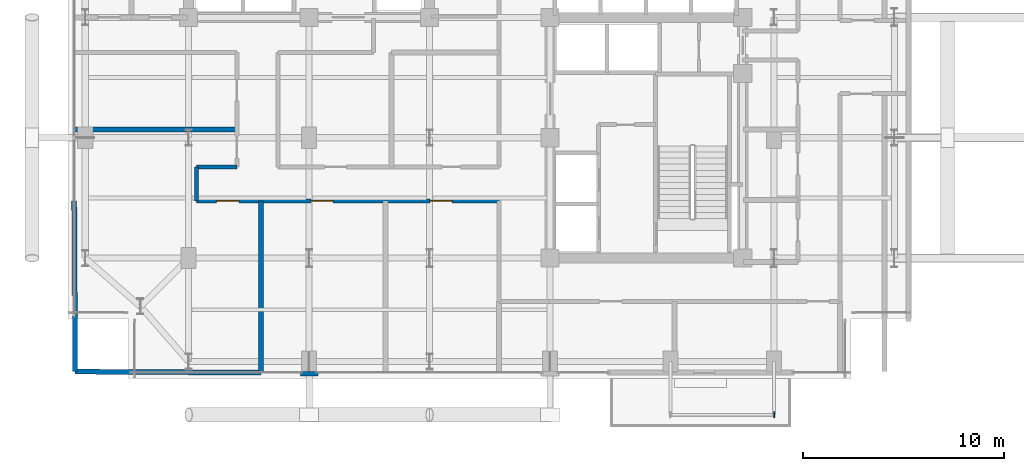
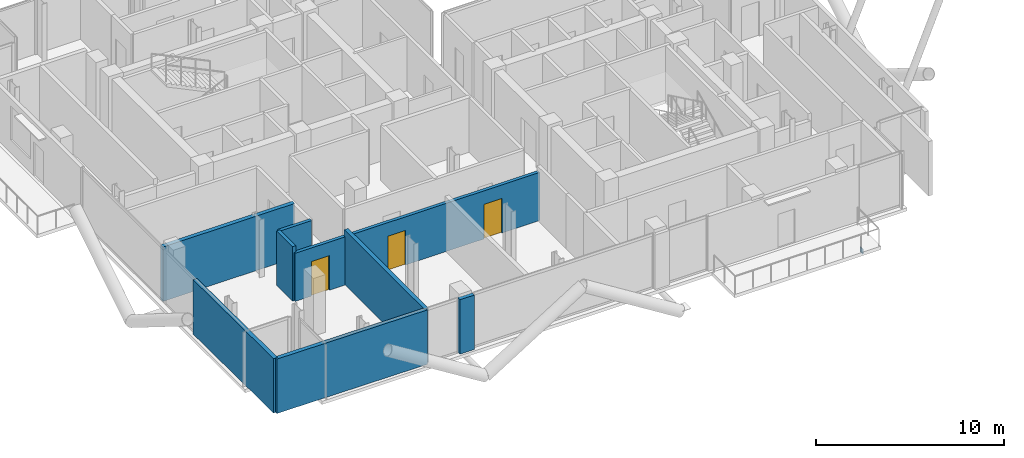
# One storey, part 19 of 26: 8 walls, 3 doors, 1 plate, 3 openings.
"""IFC4 building model written with IfcOpenShell, lengths in metres."""

from ifc_helpers import new_model, si_unit, direction, frame, frame_2d, origin, origin_2d, place, context, subcontext, project, spatial, rectangle, extrude, material, layer, layer_set, type_object, element, fill, save


model = new_model("IFC4")

# Units and contexts
model_context = context("Model", 3, precision=1e-05, world=origin(), true_north=direction((0.0, 1.0)))
body_context = subcontext(model_context, "Body", "Model", "MODEL_VIEW")
ifc_project = project(units=[si_unit("LENGTHUNIT", "METRE"), si_unit("AREAUNIT", "SQUARE_METRE"), si_unit("VOLUMEUNIT", "CUBIC_METRE"), si_unit("PLANEANGLEUNIT", "RADIAN"), si_unit("MASSUNIT", "GRAM", prefix="KILO"), si_unit("THERMODYNAMICTEMPERATUREUNIT", "KELVIN"), si_unit("POWERUNIT", "WATT")], contexts=[model_context])

# Site, building, storey
site_placement = place(None, origin())
site = spatial("IfcSite", under=ifc_project, at=site_placement, CompositionType="ELEMENT")
building_placement = place(site_placement, origin())
building = spatial("IfcBuilding", under=site, at=building_placement, Name="Svarakhadi Broadcast Tower", CompositionType="ELEMENT")
storey_placement = place(building_placement, frame((0.0, 0.0, 184.199951171875)))
storey = spatial("IfcBuildingStorey", under=building, at=storey_placement, Name="L45", CompositionType="ELEMENT", Elevation=184.199951171875)

# Plate
ifc_material_1 = material(Name="Steel S460ML (IS 2062 E450BR)", Category="steel")
ifc_layer_1 = layer(ifc_material_1, 0.028076171875)
ifc_layer_set_1 = layer_set([ifc_layer_1], Name="Steel S460ML (IS 2062 E450BR)")
plate_type = type_object("IfcPlateType", Name="Cap_Plate_CP02", PredefinedType="USERDEFINED", material=ifc_layer_set_1)
plate_placement = place(storey_placement, frame((35.1650390625, -1.800048828125, -0.5048828125), z_axis=(0.0, 0.0, 1.0), x_axis=(1.0, 0.0, 0.0)))
element("IfcPlate", 1, at=plate_placement, inside=storey, type_object=plate_type, Name="L45 Balcony Spandrel End Cap Plate 1F-B", ObjectType="FLANGE_PLATE", PredefinedType="USERDEFINED", context=body_context, shape_type="SweptSolid", body=[
    extrude(rectangle(XDim=0.0400390625, YDim=0.300048828125, at=origin_2d()), origin(), (0.0, 0.0, 1.0), 0.31005859375),
])

# Walls
ifc_material_2 = material(Name="Double-Stud Acoustic Studio Partition STC-62", Category="gypsum")
ifc_layer_2 = layer(ifc_material_2, 0.25)
ifc_layer_set_2 = layer_set([ifc_layer_2], Name="Double-Stud Acoustic Studio Partition STC-62")
wall_type_1 = type_object("IfcWallType", Name="Wall_Acoust_250", PredefinedType="PARTITIONING", material=ifc_layer_set_2)
wall_1_placement = place(storey_placement, frame((0.35009765625, 0.35009765625, 0.0), z_axis=(0.0, 0.0, 1.0), x_axis=(0.99998536257, -0.005410604923, 0.0)))
element("IfcWall", 2, at=wall_1_placement, inside=storey, type_object=wall_type_1, Name="L45 Grand Diplomatic Banquet Dining Hall Wall", PredefinedType="PARTITIONING", context=body_context, shape_type="SweptSolid", body=[
    extrude(rectangle(XDim=9.250244140625, YDim=0.25, at=frame_2d((4.625, 0.0))), origin(), (0.0, 0.0, 1.0), 3.5400390625),
])
wall_2_placement = place(storey_placement, frame((0.35009765625, 0.35009765625, 0.0), z_axis=(0.0, 0.0, 1.0), x_axis=(-0.00588799536, 0.999982665605, 0.0)))
element("IfcWall", 3, at=wall_2_placement, inside=storey, type_object=wall_type_1, Name="L45 Grand Diplomatic Banquet Dining Hall Wall", PredefinedType="PARTITIONING", context=body_context, shape_type="SweptSolid", body=[
    extrude(rectangle(XDim=8.500244140625, YDim=0.25, at=frame_2d((4.25, 0.0))), origin(), (0.0, 0.0, 1.0), 3.5400390625),
])
wall_3_placement = place(storey_placement, frame((9.60009765625, 0.300048828125, 0.0), z_axis=(0.0, 0.0, 1.0), x_axis=(0.0, 1.0, 0.0)))
element("IfcWall", 4, at=wall_3_placement, inside=storey, type_object=wall_type_1, Name="L45 Grand Diplomatic Banquet Dining Hall Wall", PredefinedType="PARTITIONING", context=body_context, shape_type="SweptSolid", body=[
    extrude(rectangle(XDim=8.550048828125, YDim=0.25, at=frame_2d((4.27490234375, 0.0))), origin(), (0.0, 0.0, 1.0), 3.5400390625),
])
wall_4_placement = place(storey_placement, frame((0.300048828125, 12.39990234375, 0.0), z_axis=(0.0, 0.0, 1.0), x_axis=(1.0, 0.0, 0.0)))
element("IfcWall", 5, at=wall_4_placement, inside=storey, type_object=wall_type_1, Name="L45 Club Floor Pantry Kitchen Wall", PredefinedType="PARTITIONING", context=body_context, shape_type="SweptSolid", body=[
    extrude(rectangle(XDim=8.099853515625, YDim=0.25, at=frame_2d((4.0498046875, 0.0))), origin(), (0.0, 0.0, 1.0), 3.5400390625),
])
ifc_material_3 = material(Name="Concrete C40/50 (IS 456 M50)", Category="concrete")
ifc_layer_3 = layer(ifc_material_3, 0.239990234375)
ifc_layer_set_3 = layer_set([ifc_layer_3], Name="Concrete C40/50 (IS 456 M50)")
wall_type_2 = type_object("IfcWallType", Name="Wall_Ext_240", PredefinedType="SOLIDWALL", material=ifc_layer_set_3)
wall_5_placement = place(storey_placement, frame((12.43994140625, 0.239990234375, 0.0), z_axis=(0.0, 0.0, 1.0), x_axis=(-1.0, 0.0, 0.0)))
element("IfcWall", 6, at=wall_5_placement, inside=storey, type_object=wall_type_2, Name="L45 Perimeter Bronze Spandrel Closure Wall 04", PredefinedType="SOLIDWALL", context=body_context, shape_type="SweptSolid", body=[
    extrude(rectangle(XDim=0.8798828125, YDim=0.239990234375, at=frame_2d((0.43994140625, 0.0))), origin(), (0.0, 0.0, 1.0), 3.5400390625),
])

# Wall, openings, doors
ifc_layer_4 = layer(ifc_material_3, 0.199951171875)
ifc_layer_set_4 = layer_set([ifc_layer_4], Name="Concrete C40/50 (IS 456 M50)")
wall_type_3 = type_object("IfcWallType", Name="Wall_Fire_200", PredefinedType="SOLIDWALL", material=ifc_layer_set_4)
wall_6_placement = place(storey_placement, frame((21.449951171875, 8.85009765625, 0.0), z_axis=(0.0, 0.0, 1.0), x_axis=(-1.0, 0.0, 0.0)))
wall_6 = element("IfcWall", 7, at=wall_6_placement, inside=storey, type_object=wall_type_3, Name="L45 Zone 2/3 Corridor Wall", PredefinedType="SOLIDWALL", context=body_context, shape_type="SweptSolid", body=[
    extrude(rectangle(XDim=15.050048828125, YDim=0.199951171875, at=frame_2d((7.52490234375, 0.0))), origin(), (0.0, 0.0, 1.0), 3.132080078125),
])
opening_1_placement = place(wall_6_placement, frame((12.949951171875, 0.0, 0.0)))
opening_1 = element("IfcOpeningElement", 8, at=opening_1_placement, cuts=wall_6, Name="Opening D-10", PredefinedType="OPENING", context=body_context, shape_type="SweptSolid", body=[
    extrude(rectangle(XDim=1.10009765625, YDim=2.25, at=frame_2d((0.550048828125, 1.125))), frame((0.0, 0.10986328125, 0.0), z_axis=(0.0, -1.0, 0.0), x_axis=(1.0, 0.0, 0.0)), (0.0, 0.0, 1.0), 0.219970703125),
])
opening_2_placement = place(wall_6_placement, frame((8.25, 0.0, 0.0)))
opening_2 = element("IfcOpeningElement", 9, at=opening_2_placement, cuts=wall_6, Name="Opening D-11", PredefinedType="OPENING", context=body_context, shape_type="SweptSolid", body=[
    extrude(rectangle(XDim=1.10009765625, YDim=2.25, at=frame_2d((0.550048828125, 1.125))), frame((0.0, 0.10986328125, 0.0), z_axis=(0.0, -1.0, 0.0), x_axis=(1.0, 0.0, 0.0)), (0.0, 0.0, 1.0), 0.219970703125),
])
opening_3_placement = place(wall_6_placement, frame((2.324951171875, 0.0, 0.0)))
opening_3 = element("IfcOpeningElement", 10, at=opening_3_placement, cuts=wall_6, Name="Opening D-10", PredefinedType="OPENING", context=body_context, shape_type="SweptSolid", body=[
    extrude(rectangle(XDim=1.10009765625, YDim=2.25, at=frame_2d((0.550048828125, 1.125))), frame((0.0, 0.10986328125, 0.0), z_axis=(0.0, -1.0, 0.0), x_axis=(1.0, 0.0, 0.0)), (0.0, 0.0, 1.0), 0.219970703125),
])
ifc_material_4 = material(Name="Solid-Core Teak Veneer Acoustic Timber Leaf", Category="wood")
door_type_1 = type_object("IfcDoorType", Name="Door_Acoust_D10", OperationType="SINGLE_SWING_LEFT", PredefinedType="DOOR", material=ifc_material_4)
door_1_placement = place(opening_1_placement, origin())
door_1 = element("IfcDoor", 11, at=door_1_placement, inside=storey, type_object=door_type_1, Name="L45 Grand Diplomatic Banquet Dining Hall Door", OperationType="SINGLE_SWING_LEFT", OverallHeight=2.25, OverallWidth=1.10009765625, PredefinedType="DOOR", context=body_context, shape_type="SweptSolid", body=[
    extrude(rectangle(XDim=1.10009765625, YDim=2.25, at=frame_2d((0.550048828125, 1.125))), frame((0.0, 0.02490234375, 0.0), z_axis=(0.0, -1.0, 0.0), x_axis=(1.0, 0.0, 0.0)), (0.0, 0.0, 1.0), 0.050048828125),
])
fill(opening_1, door_1)
door_2_placement = place(opening_3_placement, origin())
door_2 = element("IfcDoor", 12, at=door_2_placement, inside=storey, type_object=door_type_1, Name="L45 Banquet Culinary Kitchen Door", OperationType="SINGLE_SWING_LEFT", OverallHeight=2.25, OverallWidth=1.10009765625, PredefinedType="DOOR", context=body_context, shape_type="SweptSolid", body=[
    extrude(rectangle(XDim=1.10009765625, YDim=2.25, at=frame_2d((0.550048828125, 1.125))), frame((0.0, 0.02490234375, 0.0), z_axis=(0.0, -1.0, 0.0), x_axis=(1.0, 0.0, 0.0)), (0.0, 0.0, 1.0), 0.050048828125),
])
fill(opening_3, door_2)
door_type_2 = type_object("IfcDoorType", Name="Door_Acoust_D11", OperationType="SINGLE_SWING_RIGHT", PredefinedType="DOOR", material=ifc_material_4)
door_3_placement = place(opening_2_placement, origin())
door_3 = element("IfcDoor", 13, at=door_3_placement, inside=storey, type_object=door_type_2, Name="L45 Hotel Diplomatic Boardroom Door", OperationType="SINGLE_SWING_RIGHT", OverallHeight=2.25, OverallWidth=1.10009765625, PredefinedType="DOOR", context=body_context, shape_type="SweptSolid", body=[
    extrude(rectangle(XDim=1.10009765625, YDim=2.25, at=frame_2d((0.550048828125, 1.125))), frame((0.0, 0.02490234375, 0.0), z_axis=(0.0, -1.0, 0.0), x_axis=(1.0, 0.0, 0.0)), (0.0, 0.0, 1.0), 0.050048828125),
])
fill(opening_2, door_3)

# Walls
wall_7_placement = place(storey_placement, frame((6.39990234375, 8.85009765625, 0.0), z_axis=(0.0, 0.0, 1.0), x_axis=(0.0, 1.0, 0.0)))
element("IfcWall", 14, at=wall_7_placement, inside=storey, type_object=wall_type_3, Name="L45 Zone 2/3 Corridor Wall", PredefinedType="SOLIDWALL", context=body_context, shape_type="SweptSolid", body=[
    extrude(rectangle(XDim=1.699951171875, YDim=0.199951171875, at=frame_2d((0.85009765625, 0.0))), origin(), (0.0, 0.0, 1.0), 3.5400390625),
])
wall_8_placement = place(storey_placement, frame((6.39990234375, 10.550048828125, 0.0), z_axis=(0.0, 0.0, 1.0), x_axis=(1.0, 0.0, 0.0)))
element("IfcWall", 15, at=wall_8_placement, inside=storey, type_object=wall_type_3, Name="L45 Zone 2/3 Corridor Wall", PredefinedType="SOLIDWALL", context=body_context, shape_type="SweptSolid", body=[
    extrude(rectangle(XDim=2.0, YDim=0.199951171875, at=frame_2d((1.0, 0.0))), origin(), (0.0, 0.0, 1.0), 3.5400390625),
])

save(model, "model.ifc")
